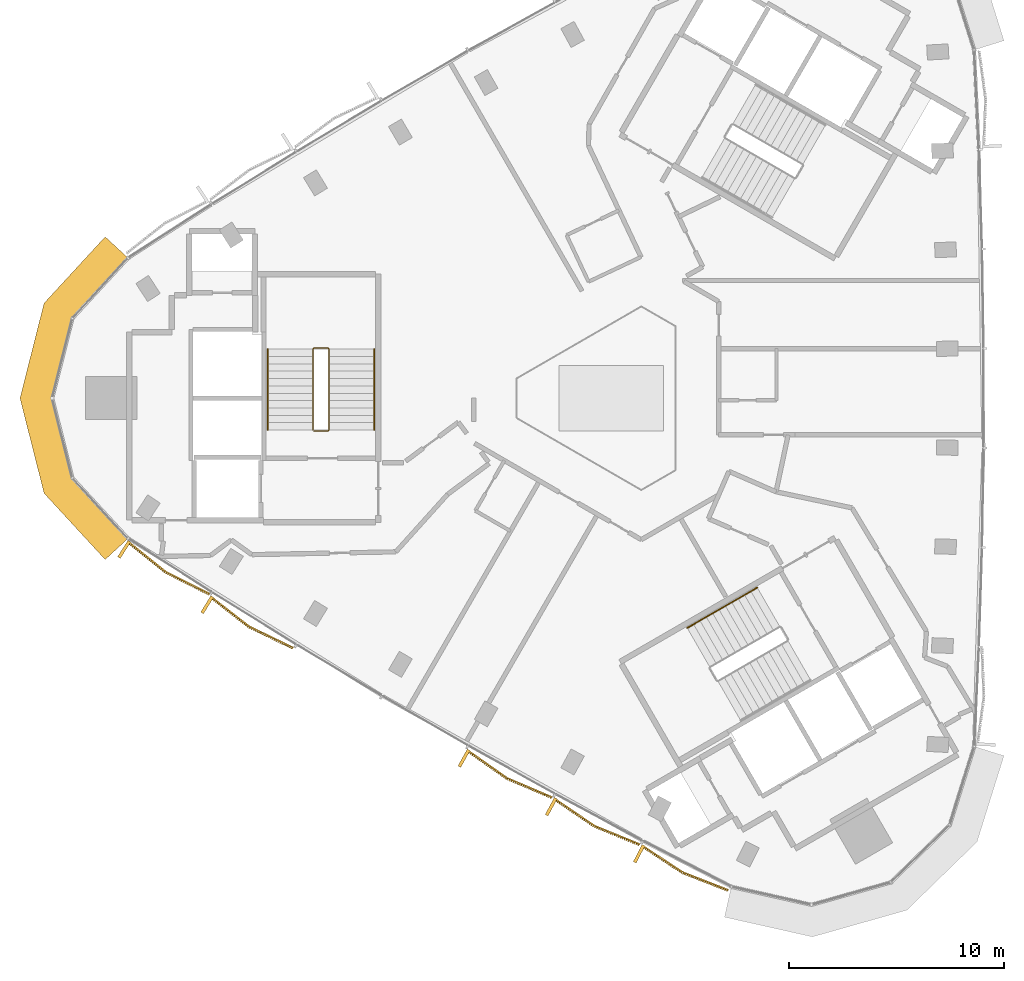
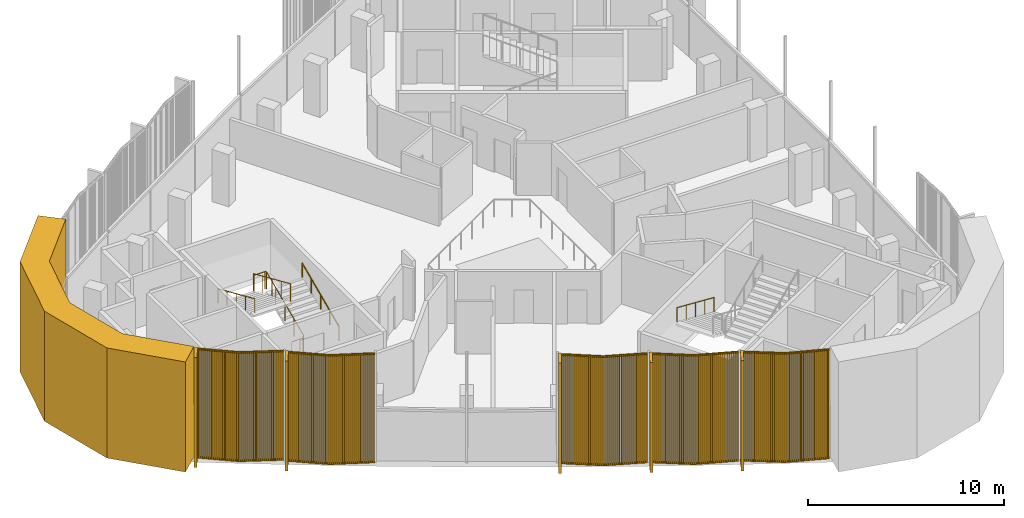
# One storey, part 10 of 12: 6 coverings, 4 railings.
"""IFC4 building model written with IfcOpenShell, lengths in metres."""

from ifc_helpers import new_model, si_unit, direction, frame, frame_2d, origin, origin_2d, place, context, subcontext, project, spatial, polyline, rectangle, circle, outline, extrude, source, transform, mapped, material, layer, layer_set, type_object, element, save


model = new_model("IFC4")

# Units and contexts
model_context = context("Model", 3, precision=1e-05, world=origin(), true_north=direction((0.0, 1.0)))
body_context = subcontext(model_context, "Body", "Model", "MODEL_VIEW")
ifc_project = project(units=[si_unit("LENGTHUNIT", "METRE"), si_unit("AREAUNIT", "SQUARE_METRE"), si_unit("VOLUMEUNIT", "CUBIC_METRE"), si_unit("PLANEANGLEUNIT", "RADIAN"), si_unit("MASSUNIT", "GRAM", prefix="KILO")], contexts=[model_context])

# Site, building, storey
site_placement = place(None, origin())
site = spatial("IfcSite", under=ifc_project, at=site_placement, CompositionType="ELEMENT")
building_placement = place(site_placement, origin())
building = spatial("IfcBuilding", under=site, at=building_placement, Name="Tamra Quay Hotel Tower", CompositionType="ELEMENT")
storey_placement = place(building_placement, frame((0.0, 0.0, 262.199951171875)))
storey = spatial("IfcBuildingStorey", under=building, at=storey_placement, Name="L66", CompositionType="ELEMENT", Elevation=262.199951171875)

# Covering
ifc_material_1 = material(Name="Precast concrete M60 terracotta-coloured", Category="masonry")
ifc_layer = layer(ifc_material_1, 1.449951171875)
ifc_layer_set = layer_set([ifc_layer], Name="CORNER PIER PANEL")
covering_type_1 = type_object("IfcCoveringType", Name="CORNER PIER PANEL", PredefinedType="CLADDING", material=ifc_layer_set)
covering_placement = place(storey_placement, origin())
element("IfcCovering", 1, at=covering_placement, inside=storey, type_object=covering_type_1, Name="Corner pier L66.north-west", PredefinedType="CLADDING", context=body_context, shape_type="SweptSolid", body=[
    extrude(outline(polyline([(-22.488525390625, 6.530517578125), (-23.55517578125, 7.5126953125), (-26.3984375, 4.425048828125), (-27.519287109375, 0.0), (-26.3984375, -4.425048828125), (-23.55517578125, -7.5126953125), (-22.488525390625, -6.530517578125), (-25.0830078125, -3.712890625), (-26.0234375, 0.0), (-25.0830078125, 3.712890625), (-22.488525390625, 6.530517578125)])), origin(), (0.0, 0.0, 1.0), 6.85009765625),
])

# Railings
ifc_material_2 = material(Name="Stair guard 1100")
railing_type_1 = type_object("IfcRailingType", Name="Stair guard 1100", PredefinedType="GUARDRAIL", material=ifc_material_2)
railing_1_placement = place(storey_placement, frame((-13.84130859375, -1.530029296875, 0.0)))
element("IfcRailing", 2, at=railing_1_placement, inside=storey, type_object=railing_type_1, Name="GR", PredefinedType="GUARDRAIL", context=body_context, shape_type="SweptSolid", body=[
    extrude(circle(Radius=0.02392578125, at=origin_2d()), frame((0.0, 0.0, 1.076171875), z_axis=(1.0, 0.0, 0.0), x_axis=(0.0, 1.0, 0.0)), (0.0, 0.0, 1.0), 0.658935546875),
    extrude(circle(Radius=0.02392578125, at=origin_2d()), frame((0.658935546875, 0.0, 1.076171875), z_axis=(0.301511344578, 0.301511344578, 0.904534033733), x_axis=(-0.707106781187, 0.707106781187, 0.0)), (0.0, 0.0, 1.0), 0.166015625),
    extrude(circle(Radius=0.02392578125, at=origin_2d()), frame((0.708984375, 0.050048828125, 1.22607421875), z_axis=(0.0, 0.915795495799, 0.401644880304), x_axis=(-1.0, 0.0, 0.0)), (0.0, 0.0, 1.0), 4.10791015625),
    extrude(circle(Radius=0.02392578125, at=origin_2d()), frame((0.708984375, 3.81201171875, 2.8759765625), z_axis=(-0.708833529934, 0.705375805398, 0.0), x_axis=(-0.705375805398, -0.708833529934, 0.0)), (0.0, 0.0, 1.0), 0.070556640625),
    extrude(circle(Radius=0.02392578125, at=origin_2d()), frame((0.658935546875, 3.86181640625, 2.8759765625), z_axis=(-1.0, 0.0, 0.0), x_axis=(0.0, -1.0, 0.0)), (0.0, 0.0, 1.0), 0.658935546875),
    extrude(circle(Radius=0.02392578125, at=origin_2d()), frame((0.0, 3.86181640625, 2.8759765625), z_axis=(-0.302046947789, -0.300573548044, 0.904667443621), x_axis=(0.705375805398, -0.708833529934, 0.0)), (0.0, 0.0, 1.0), 0.165771484375),
    extrude(circle(Radius=0.02392578125, at=origin_2d()), frame((-0.050048828125, 3.81201171875, 3.02587890625), z_axis=(0.0, -0.915773634228, 0.401694723457), x_axis=(1.0, 0.0, 0.0)), (0.0, 0.0, 1.0), 4.10791015625),
    extrude(circle(Radius=0.02099609375, at=origin_2d()), origin(), (0.0, 0.0, 1.0), 1.052001953125),
    extrude(circle(Radius=0.02099609375, at=origin_2d()), frame((0.658935546875, 0.0, 0.0)), (0.0, 0.0, 1.0), 1.052001953125),
    extrude(circle(Radius=0.02099609375, at=origin_2d()), frame((0.708984375, 0.050048828125, 0.150146484375)), (0.0, 0.0, 1.0), 1.052001953125),
    extrude(circle(Radius=0.02099609375, at=origin_2d()), frame((0.708984375, 0.990478515625, 0.5625)), (0.0, 0.0, 1.0), 1.052001953125),
    extrude(circle(Radius=0.02099609375, at=origin_2d()), frame((0.708984375, 1.93115234375, 0.97509765625)), (0.0, 0.0, 1.0), 1.052001953125),
    extrude(circle(Radius=0.02099609375, at=origin_2d()), frame((0.708984375, 2.87158203125, 1.3876953125)), (0.0, 0.0, 1.0), 1.052001953125),
    extrude(circle(Radius=0.02099609375, at=origin_2d()), frame((0.708984375, 3.81201171875, 1.800048828125)), (0.0, 0.0, 1.0), 1.052001953125),
    extrude(circle(Radius=0.02099609375, at=origin_2d()), frame((0.658935546875, 3.86181640625, 1.800048828125)), (0.0, 0.0, 1.0), 1.052001953125),
    extrude(circle(Radius=0.02099609375, at=origin_2d()), frame((0.0, 3.86181640625, 1.800048828125)), (0.0, 0.0, 1.0), 1.052001953125),
    extrude(circle(Radius=0.02099609375, at=origin_2d()), frame((-0.050048828125, 3.81201171875, 1.949951171875)), (0.0, 0.0, 1.0), 1.052001953125),
    extrude(circle(Radius=0.02099609375, at=origin_2d()), frame((-0.050048828125, 2.87158203125, 2.362548828125)), (0.0, 0.0, 1.0), 1.052001953125),
    extrude(circle(Radius=0.02099609375, at=origin_2d()), frame((-0.050048828125, 1.93115234375, 2.77490234375)), (0.0, 0.0, 1.0), 1.052001953125),
    extrude(circle(Radius=0.02099609375, at=origin_2d()), frame((-0.050048828125, 0.990478515625, 3.1875)), (0.0, 0.0, 1.0), 1.052001953125),
    extrude(circle(Radius=0.02099609375, at=origin_2d()), frame((-0.050048828125, 0.050048828125, 3.60009765625)), (0.0, 0.0, 1.0), 1.052001953125),
])
ifc_material_3 = material(Name="Stair handrail 900")
railing_type_2 = type_object("IfcRailingType", Name="Stair handrail 900", PredefinedType="HANDRAIL", material=ifc_material_3)
railing_2_placement = place(storey_placement, frame((-11.0322265625, -1.47998046875, 0.150146484375)))
element("IfcRailing", 3, at=railing_2_placement, inside=storey, type_object=railing_type_2, Name="HR", PredefinedType="HANDRAIL", context=body_context, shape_type="SweptSolid", body=[
    extrude(circle(Radius=0.02392578125, at=origin_2d()), frame((0.0, 0.0, 0.8759765625), z_axis=(0.0, 0.915795495799, 0.401644880304), x_axis=(-1.0, 0.0, 0.0)), (0.0, 0.0, 1.0), 4.10791015625),
    extrude(circle(Radius=0.02099609375, at=origin_2d()), origin(), (0.0, 0.0, 1.0), 0.851806640625),
    extrude(circle(Radius=0.02099609375, at=origin_2d()), frame((0.0, 0.9404296875, 0.41259765625)), (0.0, 0.0, 1.0), 0.851806640625),
    extrude(circle(Radius=0.02099609375, at=origin_2d()), frame((0.0, 1.880859375, 0.824951171875)), (0.0, 0.0, 1.0), 0.851806640625),
    extrude(circle(Radius=0.02099609375, at=origin_2d()), frame((0.0, 2.821533203125, 1.2373046875)), (0.0, 0.0, 1.0), 0.851806640625),
    extrude(circle(Radius=0.02099609375, at=origin_2d()), frame((0.0, 3.761962890625, 1.64990234375)), (0.0, 0.0, 1.0), 0.851806640625),
])
railing_3_placement = place(storey_placement, frame((-15.9912109375, 2.281982421875, 1.949951171875)))
element("IfcRailing", 4, at=railing_3_placement, inside=storey, type_object=railing_type_2, Name="HR", PredefinedType="HANDRAIL", context=body_context, shape_type="SweptSolid", body=[
    extrude(circle(Radius=0.02392578125, at=origin_2d()), frame((0.0, 0.0, 0.8759765625), z_axis=(0.0, -0.915773634228, 0.401694723457), x_axis=(1.0, 0.0, 0.0)), (0.0, 0.0, 1.0), 4.10791015625),
    extrude(circle(Radius=0.02099609375, at=origin_2d()), origin(), (0.0, 0.0, 1.0), 0.851806640625),
    extrude(circle(Radius=0.02099609375, at=origin_2d()), frame((0.0, -0.9404296875, 0.41259765625)), (0.0, 0.0, 1.0), 0.851806640625),
    extrude(circle(Radius=0.02099609375, at=origin_2d()), frame((0.0, -1.880859375, 0.8251953125)), (0.0, 0.0, 1.0), 0.851806640625),
    extrude(circle(Radius=0.02099609375, at=origin_2d()), frame((0.0, -2.821533203125, 1.237548828125)), (0.0, 0.0, 1.0), 0.851806640625),
    extrude(circle(Radius=0.02099609375, at=origin_2d()), frame((0.0, -3.761962890625, 1.650146484375)), (0.0, 0.0, 1.0), 0.851806640625),
])
railing_4_placement = place(storey_placement, frame((6.7978515625, -8.814208984375, 0.150146484375)))
element("IfcRailing", 5, at=railing_4_placement, inside=storey, type_object=railing_type_2, Name="HR", PredefinedType="HANDRAIL", context=body_context, shape_type="SweptSolid", body=[
    extrude(circle(Radius=0.02392578125, at=origin_2d()), frame((0.0, 0.0, 0.8759765625), z_axis=(-0.79310004713, -0.457886897714, 0.401661429744), x_axis=(0.499992114976, -0.866029956157, 0.0)), (0.0, 0.0, 1.0), 4.107666015625),
    extrude(circle(Radius=0.02099609375, at=origin_2d()), origin(), (0.0, 0.0, 1.0), 0.851806640625),
    extrude(circle(Radius=0.02099609375, at=origin_2d()), frame((-0.814453125, -0.47021484375, 0.41259765625)), (0.0, 0.0, 1.0), 0.851806640625),
    extrude(circle(Radius=0.02099609375, at=origin_2d()), frame((-1.62890625, -0.9404296875, 0.824951171875)), (0.0, 0.0, 1.0), 0.851806640625),
    extrude(circle(Radius=0.02099609375, at=origin_2d()), frame((-2.443359375, -1.41064453125, 1.2373046875)), (0.0, 0.0, 1.0), 0.851806640625),
    extrude(circle(Radius=0.02099609375, at=origin_2d()), frame((-3.2578125, -1.880859375, 1.64990234375)), (0.0, 0.0, 1.0), 0.851806640625),
])

# Coverings
ifc_material_4 = material(Name="Terracotta baguette extruded", Category="masonry")
covering_type_2 = type_object("IfcCoveringType", Name="BAGUETTE SCREEN SW-V H6850", PredefinedType="USERDEFINED", material=ifc_material_4)
shared_shape = source(origin(), body_context, "Body", "SweptSolid", [
    extrude(rectangle(XDim=2.284912109375, YDim=0.06005859375, at=frame_2d((1.142578125, 0.030029296875))), frame((-2.27880859375, -0.0576171875, -0.1201171875), z_axis=(0.0, 0.0, 1.0), x_axis=(0.994521895368, -0.104528463268, 0.0)), (0.0, 0.0, 1.0), 0.1201171875),
    extrude(rectangle(XDim=2.284912109375, YDim=0.06005859375, at=frame_2d((1.142578125, 0.030029296875))), frame((-2.27880859375, -0.0576171875, -6.85009765625), z_axis=(0.0, 0.0, 1.0), x_axis=(0.994521895368, -0.104528463268, 0.0)), (0.0, 0.0, 1.0), 0.1201171875),
    extrude(rectangle(XDim=0.070068359375, YDim=0.10009765625, at=frame_2d((0.03515625, 0.050048828125))), frame((-2.258056640625, -0.13330078125, -6.7900390625)), (0.0, 0.0, 1.0), 6.72998046875),
    extrude(rectangle(XDim=0.070068359375, YDim=0.10009765625, at=frame_2d((0.03515625, 0.050048828125))), frame((-2.1591796875, -0.1435546875, -6.7900390625)), (0.0, 0.0, 1.0), 6.72998046875),
    extrude(rectangle(XDim=0.070068359375, YDim=0.10009765625, at=frame_2d((0.03515625, 0.050048828125))), frame((-2.060546875, -0.154052734375, -6.7900390625)), (0.0, 0.0, 1.0), 6.72998046875),
    extrude(rectangle(XDim=0.070068359375, YDim=0.10009765625, at=frame_2d((0.03515625, 0.050048828125))), frame((-1.961669921875, -0.164306640625, -6.7900390625)), (0.0, 0.0, 1.0), 6.72998046875),
    extrude(rectangle(XDim=0.070068359375, YDim=0.10009765625, at=frame_2d((0.03515625, 0.050048828125))), frame((-1.86279296875, -0.1748046875, -6.7900390625)), (0.0, 0.0, 1.0), 6.72998046875),
    extrude(rectangle(XDim=0.070068359375, YDim=0.10009765625, at=frame_2d((0.03515625, 0.050048828125))), frame((-1.76416015625, -0.18505859375, -6.7900390625)), (0.0, 0.0, 1.0), 6.72998046875),
    extrude(rectangle(XDim=0.070068359375, YDim=0.10009765625, at=frame_2d((0.03515625, 0.050048828125))), frame((-1.665283203125, -0.195556640625, -6.7900390625)), (0.0, 0.0, 1.0), 6.72998046875),
    extrude(rectangle(XDim=0.070068359375, YDim=0.10009765625, at=frame_2d((0.03515625, 0.050048828125))), frame((-1.56640625, -0.205810546875, -6.7900390625)), (0.0, 0.0, 1.0), 6.72998046875),
    extrude(rectangle(XDim=0.070068359375, YDim=0.10009765625, at=frame_2d((0.03515625, 0.050048828125))), frame((-1.4677734375, -0.21630859375, -6.7900390625)), (0.0, 0.0, 1.0), 6.72998046875),
    extrude(rectangle(XDim=0.070068359375, YDim=0.10009765625, at=frame_2d((0.03515625, 0.050048828125))), frame((-1.368896484375, -0.2265625, -6.7900390625)), (0.0, 0.0, 1.0), 6.72998046875),
    extrude(rectangle(XDim=0.070068359375, YDim=0.10009765625, at=frame_2d((0.03515625, 0.050048828125))), frame((-1.27001953125, -0.237060546875, -6.7900390625)), (0.0, 0.0, 1.0), 6.72998046875),
    extrude(rectangle(XDim=0.070068359375, YDim=0.10009765625, at=frame_2d((0.03515625, 0.050048828125))), frame((-1.171142578125, -0.247314453125, -6.7900390625)), (0.0, 0.0, 1.0), 6.72998046875),
    extrude(rectangle(XDim=0.070068359375, YDim=0.10009765625, at=frame_2d((0.03515625, 0.050048828125))), frame((-1.072509765625, -0.2578125, -6.7900390625)), (0.0, 0.0, 1.0), 6.72998046875),
    extrude(rectangle(XDim=0.070068359375, YDim=0.10009765625, at=frame_2d((0.03515625, 0.050048828125))), frame((-0.9736328125, -0.268310546875, -6.7900390625)), (0.0, 0.0, 1.0), 6.72998046875),
    extrude(rectangle(XDim=0.070068359375, YDim=0.10009765625, at=frame_2d((0.03515625, 0.050048828125))), frame((-0.874755859375, -0.278564453125, -6.7900390625)), (0.0, 0.0, 1.0), 6.72998046875),
    extrude(rectangle(XDim=0.070068359375, YDim=0.10009765625, at=frame_2d((0.03515625, 0.050048828125))), frame((-0.776123046875, -0.2890625, -6.7900390625)), (0.0, 0.0, 1.0), 6.72998046875),
    extrude(rectangle(XDim=0.070068359375, YDim=0.10009765625, at=frame_2d((0.03515625, 0.050048828125))), frame((-0.67724609375, -0.29931640625, -6.7900390625)), (0.0, 0.0, 1.0), 6.72998046875),
    extrude(rectangle(XDim=0.070068359375, YDim=0.10009765625, at=frame_2d((0.03515625, 0.050048828125))), frame((-0.578369140625, -0.309814453125, -6.7900390625)), (0.0, 0.0, 1.0), 6.72998046875),
    extrude(rectangle(XDim=0.070068359375, YDim=0.10009765625, at=frame_2d((0.03515625, 0.050048828125))), frame((-0.479736328125, -0.320068359375, -6.7900390625)), (0.0, 0.0, 1.0), 6.72998046875),
    extrude(rectangle(XDim=0.070068359375, YDim=0.10009765625, at=frame_2d((0.03515625, 0.050048828125))), frame((-0.380859375, -0.33056640625, -6.7900390625)), (0.0, 0.0, 1.0), 6.72998046875),
    extrude(rectangle(XDim=0.070068359375, YDim=0.10009765625, at=frame_2d((0.03515625, 0.050048828125))), frame((-0.281982421875, -0.3408203125, -6.7900390625)), (0.0, 0.0, 1.0), 6.72998046875),
    extrude(rectangle(XDim=0.070068359375, YDim=0.10009765625, at=frame_2d((0.03515625, 0.050048828125))), frame((-0.18310546875, -0.351318359375, -6.7900390625)), (0.0, 0.0, 1.0), 6.72998046875),
    extrude(rectangle(XDim=0.070068359375, YDim=0.10009765625, at=frame_2d((0.03515625, 0.050048828125))), frame((-0.08447265625, -0.361572265625, -6.7900390625)), (0.0, 0.0, 1.0), 6.72998046875),
    extrude(rectangle(XDim=2.284912109375, YDim=0.06005859375, at=frame_2d((1.142578125, 0.030029296875))), frame((0.00634765625, -0.296630859375, -0.1201171875), z_axis=(0.0, 0.0, 1.0), x_axis=(0.994521895368, 0.104528463268, 0.0)), (0.0, 0.0, 1.0), 0.1201171875),
    extrude(rectangle(XDim=2.284912109375, YDim=0.06005859375, at=frame_2d((1.142578125, 0.030029296875))), frame((0.00634765625, -0.296630859375, -6.85009765625), z_axis=(0.0, 0.0, 1.0), x_axis=(0.994521895368, 0.104528463268, 0.0)), (0.0, 0.0, 1.0), 0.1201171875),
    extrude(rectangle(XDim=0.070068359375, YDim=0.10009765625, at=frame_2d((0.03515625, 0.050048828125))), frame((0.014404296875, -0.361572265625, -6.7900390625)), (0.0, 0.0, 1.0), 6.72998046875),
    extrude(rectangle(XDim=0.070068359375, YDim=0.10009765625, at=frame_2d((0.03515625, 0.050048828125))), frame((0.11328125, -0.351318359375, -6.7900390625)), (0.0, 0.0, 1.0), 6.72998046875),
    extrude(rectangle(XDim=0.070068359375, YDim=0.10009765625, at=frame_2d((0.03515625, 0.050048828125))), frame((0.2119140625, -0.3408203125, -6.7900390625)), (0.0, 0.0, 1.0), 6.72998046875),
    extrude(rectangle(XDim=0.070068359375, YDim=0.10009765625, at=frame_2d((0.03515625, 0.050048828125))), frame((0.310791015625, -0.33056640625, -6.7900390625)), (0.0, 0.0, 1.0), 6.72998046875),
    extrude(rectangle(XDim=0.070068359375, YDim=0.10009765625, at=frame_2d((0.03515625, 0.050048828125))), frame((0.40966796875, -0.320068359375, -6.7900390625)), (0.0, 0.0, 1.0), 6.72998046875),
    extrude(rectangle(XDim=0.070068359375, YDim=0.10009765625, at=frame_2d((0.03515625, 0.050048828125))), frame((0.50830078125, -0.309814453125, -6.7900390625)), (0.0, 0.0, 1.0), 6.72998046875),
    extrude(rectangle(XDim=0.070068359375, YDim=0.10009765625, at=frame_2d((0.03515625, 0.050048828125))), frame((0.607177734375, -0.29931640625, -6.7900390625)), (0.0, 0.0, 1.0), 6.72998046875),
    extrude(rectangle(XDim=0.070068359375, YDim=0.10009765625, at=frame_2d((0.03515625, 0.050048828125))), frame((0.7060546875, -0.2890625, -6.7900390625)), (0.0, 0.0, 1.0), 6.72998046875),
    extrude(rectangle(XDim=0.070068359375, YDim=0.10009765625, at=frame_2d((0.03515625, 0.050048828125))), frame((0.804931640625, -0.278564453125, -6.7900390625)), (0.0, 0.0, 1.0), 6.72998046875),
    extrude(rectangle(XDim=0.070068359375, YDim=0.10009765625, at=frame_2d((0.03515625, 0.050048828125))), frame((0.903564453125, -0.268310546875, -6.7900390625)), (0.0, 0.0, 1.0), 6.72998046875),
    extrude(rectangle(XDim=0.070068359375, YDim=0.10009765625, at=frame_2d((0.03515625, 0.050048828125))), frame((1.00244140625, -0.2578125, -6.7900390625)), (0.0, 0.0, 1.0), 6.72998046875),
    extrude(rectangle(XDim=0.070068359375, YDim=0.10009765625, at=frame_2d((0.03515625, 0.050048828125))), frame((1.101318359375, -0.247314453125, -6.7900390625)), (0.0, 0.0, 1.0), 6.72998046875),
    extrude(rectangle(XDim=0.070068359375, YDim=0.10009765625, at=frame_2d((0.03515625, 0.050048828125))), frame((1.199951171875, -0.237060546875, -6.7900390625)), (0.0, 0.0, 1.0), 6.72998046875),
    extrude(rectangle(XDim=0.070068359375, YDim=0.10009765625, at=frame_2d((0.03515625, 0.050048828125))), frame((1.298828125, -0.2265625, -6.7900390625)), (0.0, 0.0, 1.0), 6.72998046875),
    extrude(rectangle(XDim=0.070068359375, YDim=0.10009765625, at=frame_2d((0.03515625, 0.050048828125))), frame((1.397705078125, -0.21630859375, -6.7900390625)), (0.0, 0.0, 1.0), 6.72998046875),
    extrude(rectangle(XDim=0.070068359375, YDim=0.10009765625, at=frame_2d((0.03515625, 0.050048828125))), frame((1.49658203125, -0.205810546875, -6.7900390625)), (0.0, 0.0, 1.0), 6.72998046875),
    extrude(rectangle(XDim=0.070068359375, YDim=0.10009765625, at=frame_2d((0.03515625, 0.050048828125))), frame((1.59521484375, -0.195556640625, -6.7900390625)), (0.0, 0.0, 1.0), 6.72998046875),
    extrude(rectangle(XDim=0.070068359375, YDim=0.10009765625, at=frame_2d((0.03515625, 0.050048828125))), frame((1.694091796875, -0.18505859375, -6.7900390625)), (0.0, 0.0, 1.0), 6.72998046875),
    extrude(rectangle(XDim=0.070068359375, YDim=0.10009765625, at=frame_2d((0.03515625, 0.050048828125))), frame((1.79296875, -0.1748046875, -6.7900390625)), (0.0, 0.0, 1.0), 6.72998046875),
    extrude(rectangle(XDim=0.070068359375, YDim=0.10009765625, at=frame_2d((0.03515625, 0.050048828125))), frame((1.8916015625, -0.164306640625, -6.7900390625)), (0.0, 0.0, 1.0), 6.72998046875),
    extrude(rectangle(XDim=0.070068359375, YDim=0.10009765625, at=frame_2d((0.03515625, 0.050048828125))), frame((1.990478515625, -0.154052734375, -6.7900390625)), (0.0, 0.0, 1.0), 6.72998046875),
    extrude(rectangle(XDim=0.070068359375, YDim=0.10009765625, at=frame_2d((0.03515625, 0.050048828125))), frame((2.08935546875, -0.1435546875, -6.7900390625)), (0.0, 0.0, 1.0), 6.72998046875),
    extrude(rectangle(XDim=0.070068359375, YDim=0.10009765625, at=frame_2d((0.03515625, 0.050048828125))), frame((2.18798828125, -0.13330078125, -6.7900390625)), (0.0, 0.0, 1.0), 6.72998046875),
    extrude(rectangle(XDim=0.14990234375, YDim=0.902099609375, at=frame_2d((0.074951171875, 0.451171875))), frame((-2.2724609375, -0.89990234375, -6.85009765625)), (0.0, 0.0, 1.0), 6.85009765625),
])
for number, where, z_axis, x_axis, name in (
    (6, (-20.580322265625, -7.84765625, 6.85009765625), (0.0, 0.0, 1.0), (0.841664986899, -0.540000046137, 0.0), "Baguette screen L66.SW.f00"),
    (7, (-16.7021484375, -10.387939453125, 6.85009765625), (0.0, 0.0, 1.0), (0.849981756251, -0.526812124045, 0.0), "Baguette screen L66.SW.f01"),
    (8, (-4.712890625, -17.435302734375, 6.85009765625), (0.0, 0.0, 1.0), (0.87373577863, -0.486400852324, 0.0), "Baguette screen L66.SW.f04"),
    (9, (-0.64501953125, -19.658447265625, 6.85009765625), (0.0, 0.0, 1.0), (0.88122356057, -0.472699731644, 0.0), "Baguette screen L66.SW.f05"),
    (10, (3.457275390625, -21.81787109375, 6.85009765625), (0.0, 0.0, 1.0), (0.888486251449, -0.458903237062, 0.0), "Baguette screen L66.SW.f06"),
):
    element("IfcCovering", number, at=place(storey_placement, frame(where, z_axis=z_axis, x_axis=x_axis)), inside=storey, type_object=covering_type_2, Name=name, ObjectType="BAGUETTE SCREEN", PredefinedType="USERDEFINED", context=body_context, shape_type="MappedRepresentation", body=[
        mapped(shared_shape, transform((0.0, 0.0, 0.0), scale=1.0)),
    ])

save(model, "model.ifc")
